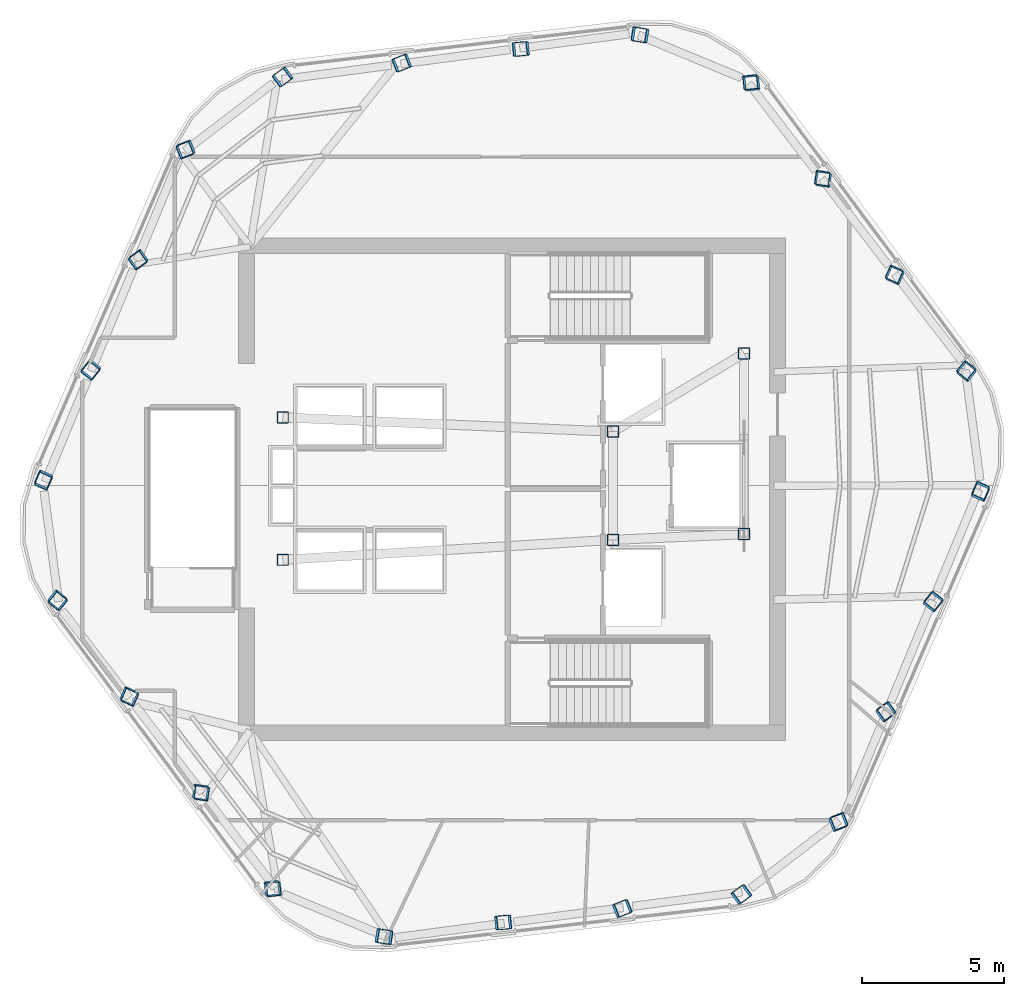
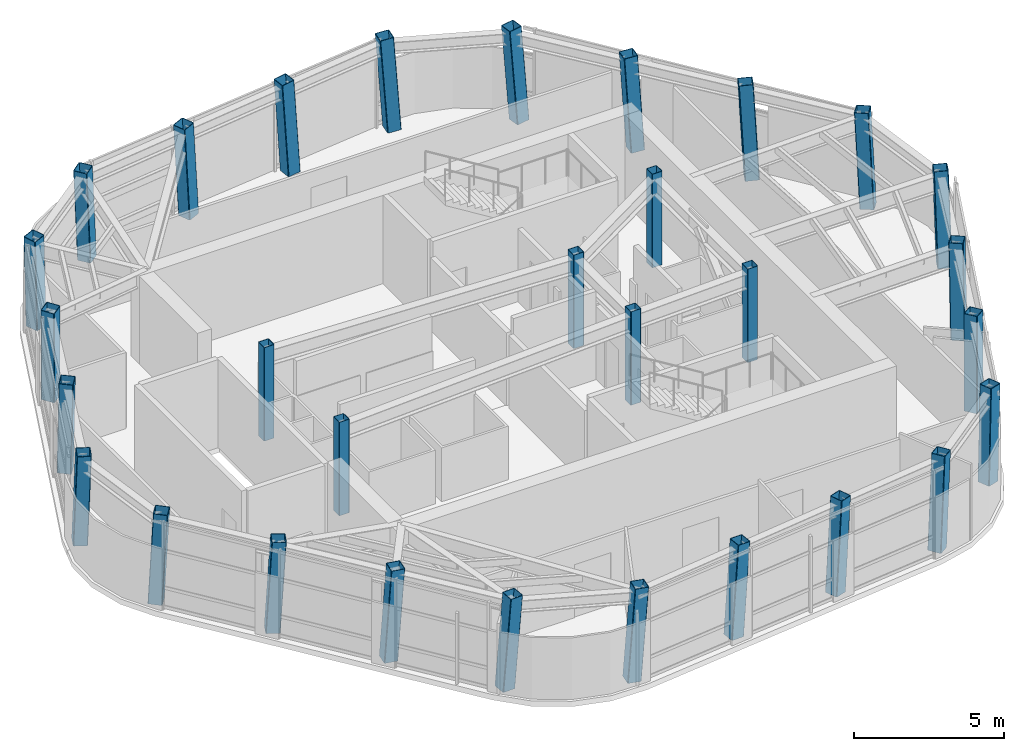
# One storey, part 1 of 11: 30 columns.
"""IFC4 building model written with IfcOpenShell, lengths in metres."""

from ifc_helpers import new_model, si_unit, direction, frame, origin, origin_2d, place, context, subcontext, project, spatial, hollow_rectangle, extrude, material, material_profile, profile_set, type_object, element, save


model = new_model("IFC4")

# Units and contexts
model_context = context("Model", 3, precision=1e-05, world=origin(), true_north=direction((0.0, 1.0)))
body_context = subcontext(model_context, "Body", "Model", "MODEL_VIEW")
ifc_project = project(units=[si_unit("LENGTHUNIT", "METRE"), si_unit("AREAUNIT", "SQUARE_METRE"), si_unit("VOLUMEUNIT", "CUBIC_METRE"), si_unit("PLANEANGLEUNIT", "RADIAN"), si_unit("MASSUNIT", "GRAM", prefix="KILO")], contexts=[model_context])

# Site, building, storey
site_placement = place(None, origin())
site = spatial("IfcSite", under=ifc_project, at=site_placement, CompositionType="ELEMENT")
building_placement = place(site_placement, origin())
building = spatial("IfcBuilding", under=site, at=building_placement, Name="Valkerne Bourse Tower", CompositionType="ELEMENT")
storey_placement = place(building_placement, frame((0.0, 0.0, 311.60009765625)))
storey = spatial("IfcBuildingStorey", under=building, at=storey_placement, Name="L79", CompositionType="ELEMENT", Elevation=311.60009765625)

# Columns
ifc_material = material(Name="Steel ASTM A500 Grade C", Category="steel")
ifc_material_profile_1 = material_profile(ifc_material, hollow_rectangle(XDim=0.39990234375, YDim=0.39990234375, WallThickness=0.01611328125, OuterFilletRadius=0.031982421875, at=origin_2d()), Name="HSS400X400X16")
ifc_profile_set_1 = profile_set([ifc_material_profile_1], Name="Steel ASTM A500 Grade C")
column_type_1 = type_object("IfcColumnType", Name="COL-HSS400X400X16", PredefinedType="COLUMN", material=ifc_profile_set_1)
for number, where, z_axis, x_axis, name in (
    (1, (38.75, 24.39990234375, 0.0048828125), (0.0, 0.0, 1.0), (1.0, 0.0, 0.0), "L79 Core Frame Column CC-SW"),
    (2, (38.75, 29.39990234375, 0.0048828125), (0.0, 0.0, 1.0), (1.0, 0.0, 0.0), "L79 Core Frame Column CC-NW"),
    (3, (50.35009765625, 25.10009765625, 0.0048828125), (0.0, 0.0, 1.0), (1.0, 0.0, 0.0), "L79 Core Frame Column CC-CE1"),
    (4, (50.35009765625, 28.89990234375, 0.0048828125), (0.0, 0.0, 1.0), (1.0, 0.0, 0.0), "L79 Core Frame Column CC-CE2"),
    (5, (54.949951171875, 25.300048828125, 0.0048828125), (0.0, 0.0, 1.0), (1.0, 0.0, 0.0), "L79 Core Frame Column CC-SE"),
    (6, (54.949951171875, 31.64990234375, 0.0048828125), (0.0, 0.0, 1.0), (1.0, 0.0, 0.0), "L79 Core Frame Column CC-NE"),
):
    element("IfcColumn", number, at=place(storey_placement, frame(where, z_axis=z_axis, x_axis=x_axis)), inside=storey, type_object=column_type_1, Name=name, PredefinedType="COLUMN", context=body_context, shape_type="SweptSolid", body=[
        extrude(hollow_rectangle(XDim=0.39990234375, YDim=0.39990234375, WallThickness=0.01611328125, OuterFilletRadius=0.031982421875, at=origin_2d()), origin(), (0.0, 0.0, 1.0), 3.794921875),
    ])
ifc_material_profile_2 = material_profile(ifc_material, hollow_rectangle(XDim=0.5, YDim=0.5, WallThickness=0.02001953125, OuterFilletRadius=0.0400390625, at=origin_2d()), Name="HSS500X500X20")
ifc_profile_set_2 = profile_set([ifc_material_profile_2], Name="Steel ASTM A500 Grade C")
column_type_2 = type_object("IfcColumnType", Name="COL-HSS500X500X20", PredefinedType="COLUMN", material=ifc_profile_set_2)
column_1_placement = place(storey_placement, frame((51.3291015625, 42.82421875, 0.010009765625), z_axis=(-0.065708385046, 0.018230855851, 0.997672312951), x_axis=(0.15508417367, 0.987870168903, -0.007837631604)))
element("IfcColumn", 7, at=column_1_placement, inside=storey, type_object=column_type_2, Name="L79 Helical Perimeter Tube Column F1-C1", PredefinedType="COLUMN", context=body_context, shape_type="SweptSolid", body=[
    extrude(hollow_rectangle(XDim=0.5, YDim=0.5, WallThickness=0.02001953125, OuterFilletRadius=0.0400390625, at=origin_2d()), origin(), (0.0, 0.0, 1.0), 3.789794921875),
])
for number, where, z_axis, x_axis, name in (
    (8, (47.14501953125, 42.340087890625, 0.010009765625), (-0.063601812684, 0.000902153371, 0.997974947352), (-0.100603882777, 0.994899697875, -0.007310946476), "L79 Helical Perimeter Tube Column F1-C2"),
    (9, (42.961181640625, 41.85595703125, 0.010009765625), (-0.061475209263, -0.01643205279, 0.997973339467), (-0.367332364315, 0.930060988211, -0.007313845391), "L79 Helical Perimeter Tube Column F1-C3"),
):
    element("IfcColumn", number, at=place(storey_placement, frame(where, z_axis=z_axis, x_axis=x_axis)), inside=storey, type_object=column_type_2, Name=name, PredefinedType="COLUMN", context=body_context, shape_type="SweptSolid", body=[
        extrude(hollow_rectangle(XDim=0.5, YDim=0.5, WallThickness=0.02001953125, OuterFilletRadius=0.0400390625, at=origin_2d()), origin(), (0.0, 0.0, 1.0), 3.78857421875),
    ])
for number, where, z_axis, x_axis, name in (
    (10, (38.777099609375, 41.371826171875, 0.010009765625), (-0.059330648795, -0.033691562779, 0.997669661116), (-0.590239713263, 0.807189929643, -0.00784208967), "L79 Helical Perimeter Tube Column F1-C4"),
    (11, (35.360595703125, 38.83447265625, 0.010009765625), (-0.048701346119, -0.047799469339, 0.997668977977), (-0.931649360722, -0.35792084166, -0.062626989166), "L79 Helical Perimeter Tube Column F2-C1"),
):
    element("IfcColumn", number, at=place(storey_placement, frame(where, z_axis=z_axis, x_axis=x_axis)), inside=storey, type_object=column_type_2, Name=name, PredefinedType="COLUMN", context=body_context, shape_type="SweptSolid", body=[
        extrude(hollow_rectangle(XDim=0.5, YDim=0.5, WallThickness=0.02001953125, OuterFilletRadius=0.0400390625, at=origin_2d()), origin(), (0.0, 0.0, 1.0), 3.789794921875),
    ])
for number, where, z_axis, x_axis, name in (
    (12, (33.687744140625, 34.968994140625, 0.010009765625), (-0.032606347958, -0.054644630569, 0.997973341539), (-0.810360275406, -0.583014306776, -0.058399847065), "L79 Helical Perimeter Tube Column F2-C2"),
    (13, (32.014892578125, 31.103515625, 0.010009765625), (-0.016496474711, -0.061475144041, 0.997972280671), (-0.620953945776, -0.781667366357, -0.058415114459), "L79 Helical Perimeter Tube Column F2-C3"),
):
    element("IfcColumn", number, at=place(storey_placement, frame(where, z_axis=z_axis, x_axis=x_axis)), inside=storey, type_object=column_type_2, Name=name, PredefinedType="COLUMN", context=body_context, shape_type="SweptSolid", body=[
        extrude(hollow_rectangle(XDim=0.5, YDim=0.5, WallThickness=0.02001953125, OuterFilletRadius=0.0400390625, at=origin_2d()), origin(), (0.0, 0.0, 1.0), 3.78857421875),
    ])
for number, where, z_axis, x_axis, name in (
    (14, (30.342041015625, 27.23779296875, 0.010009765625), (-0.000450938923, -0.068220617115, 0.997670157945), (-0.403191315634, -0.912971306398, -0.06261115469), "L79 Helical Perimeter Tube Column F2-C4"),
    (15, (30.831298828125, 23.01025390625, 0.010009765625), (0.017071283327, -0.066030435512, 0.997671565633), (0.777727569778, -0.62621234065, -0.054753370902), "L79 Helical Perimeter Tube Column F3-C1"),
):
    element("IfcColumn", number, at=place(storey_placement, frame(where, z_axis=z_axis, x_axis=x_axis)), inside=storey, type_object=column_type_2, Name=name, PredefinedType="COLUMN", context=body_context, shape_type="SweptSolid", body=[
        extrude(hollow_rectangle(XDim=0.5, YDim=0.5, WallThickness=0.02001953125, OuterFilletRadius=0.0400390625, at=origin_2d()), origin(), (0.0, 0.0, 1.0), 3.789794921875),
    ])
for number, where, z_axis, x_axis, name in (
    (16, (33.342529296875, 19.62890625, 0.010009765625), (0.030995409686, -0.055546867255, 0.997974864471), (0.911053817064, -0.409112602586, -0.05106682698), "L79 Helical Perimeter Tube Column F3-C2"),
    (17, (35.853759765625, 16.247314453125, 0.010009765625), (0.044978785502, -0.044978785502, 0.997974858255), (0.988122705194, -0.144933400794, -0.051066905274), "L79 Helical Perimeter Tube Column F3-C3"),
):
    element("IfcColumn", number, at=place(storey_placement, frame(where, z_axis=z_axis, x_axis=x_axis)), inside=storey, type_object=column_type_2, Name=name, PredefinedType="COLUMN", context=body_context, shape_type="SweptSolid", body=[
        extrude(hollow_rectangle(XDim=0.5, YDim=0.5, WallThickness=0.02001953125, OuterFilletRadius=0.0400390625, at=origin_2d()), origin(), (0.0, 0.0, 1.0), 3.78857421875),
    ])
for number, where, z_axis, x_axis, name in (
    (18, (38.364990234375, 12.865966796875, 0.010009765625), (0.058879597453, -0.034528954305, 0.99766775247), (0.992514662068, 0.109141239326, -0.054798133715), "L79 Helical Perimeter Tube Column F3-C4"),
    (19, (42.270751953125, 11.17578125, 0.010009765625), (0.065772526485, -0.018230778644, 0.997668087828), (0.154835358954, 0.987909141458, 0.00784473336), "L79 Helical Perimeter Tube Column F4-C1"),
):
    element("IfcColumn", number, at=place(storey_placement, frame(where, z_axis=z_axis, x_axis=x_axis)), inside=storey, type_object=column_type_2, Name=name, PredefinedType="COLUMN", context=body_context, shape_type="SweptSolid", body=[
        extrude(hollow_rectangle(XDim=0.5, YDim=0.5, WallThickness=0.02001953125, OuterFilletRadius=0.0400390625, at=origin_2d()), origin(), (0.0, 0.0, 1.0), 3.789794921875),
    ])
for number, where, z_axis, x_axis, name in (
    (20, (46.454833984375, 11.659912109375, 0.010009765625), (0.063601812684, -0.000902153371, 0.997974947352), (-0.100603882777, 0.994899697875, 0.007310946476), "L79 Helical Perimeter Tube Column F4-C2"),
    (21, (50.638916015625, 12.14404296875, 0.010009765625), (0.061475209263, 0.01643205279, 0.997973339467), (-0.367332364315, 0.930060988211, 0.007313845391), "L79 Helical Perimeter Tube Column F4-C3"),
):
    element("IfcColumn", number, at=place(storey_placement, frame(where, z_axis=z_axis, x_axis=x_axis)), inside=storey, type_object=column_type_2, Name=name, PredefinedType="COLUMN", context=body_context, shape_type="SweptSolid", body=[
        extrude(hollow_rectangle(XDim=0.5, YDim=0.5, WallThickness=0.02001953125, OuterFilletRadius=0.0400390625, at=origin_2d()), origin(), (0.0, 0.0, 1.0), 3.78857421875),
    ])
for number, where, z_axis, x_axis, name in (
    (22, (54.822998046875, 12.628173828125, 0.010009765625), (0.059330648795, 0.033691562779, 0.997669661116), (-0.590239713263, 0.807189929643, 0.00784208967), "L79 Helical Perimeter Tube Column F4-C4"),
    (23, (58.239501953125, 15.16552734375, 0.010009765625), (0.048701346119, 0.047799469339, 0.997668977977), (-0.931649360722, -0.35792084166, 0.062626989166), "L79 Helical Perimeter Tube Column F5-C1"),
):
    element("IfcColumn", number, at=place(storey_placement, frame(where, z_axis=z_axis, x_axis=x_axis)), inside=storey, type_object=column_type_2, Name=name, PredefinedType="COLUMN", context=body_context, shape_type="SweptSolid", body=[
        extrude(hollow_rectangle(XDim=0.5, YDim=0.5, WallThickness=0.02001953125, OuterFilletRadius=0.0400390625, at=origin_2d()), origin(), (0.0, 0.0, 1.0), 3.789794921875),
    ])
for number, where, z_axis, x_axis, name in (
    (24, (59.912353515625, 19.031005859375, 0.010009765625), (0.032606347958, 0.054644630569, 0.997973341539), (-0.810360275406, -0.583014306776, 0.058399847065), "L79 Helical Perimeter Tube Column F5-C2"),
    (25, (61.585205078125, 22.896484375, 0.010009765625), (0.016496474711, 0.061475144041, 0.997972280671), (-0.620953945776, -0.781667366357, 0.058415114459), "L79 Helical Perimeter Tube Column F5-C3"),
):
    element("IfcColumn", number, at=place(storey_placement, frame(where, z_axis=z_axis, x_axis=x_axis)), inside=storey, type_object=column_type_2, Name=name, PredefinedType="COLUMN", context=body_context, shape_type="SweptSolid", body=[
        extrude(hollow_rectangle(XDim=0.5, YDim=0.5, WallThickness=0.02001953125, OuterFilletRadius=0.0400390625, at=origin_2d()), origin(), (0.0, 0.0, 1.0), 3.78857421875),
    ])
for number, where, z_axis, x_axis, name in (
    (26, (63.2578125, 26.76220703125, 0.010009765625), (0.000450938923, 0.068220617115, 0.997670157945), (-0.403191315634, -0.912971306398, 0.06261115469), "L79 Helical Perimeter Tube Column F5-C4"),
    (27, (62.768798828125, 30.98974609375, 0.010009765625), (-0.017071283327, 0.066030435512, 0.997671565633), (0.777727569778, -0.62621234065, 0.054753370902), "L79 Helical Perimeter Tube Column F6-C1"),
):
    element("IfcColumn", number, at=place(storey_placement, frame(where, z_axis=z_axis, x_axis=x_axis)), inside=storey, type_object=column_type_2, Name=name, PredefinedType="COLUMN", context=body_context, shape_type="SweptSolid", body=[
        extrude(hollow_rectangle(XDim=0.5, YDim=0.5, WallThickness=0.02001953125, OuterFilletRadius=0.0400390625, at=origin_2d()), origin(), (0.0, 0.0, 1.0), 3.789794921875),
    ])
for number, where, z_axis, x_axis, name in (
    (28, (60.257568359375, 34.37109375, 0.010009765625), (-0.031059787106, 0.055546756194, 0.997972869121), (0.911414418774, -0.408305485604, 0.05109195315), "L79 Helical Perimeter Tube Column F6-C2"),
    (29, (57.74609375, 37.752685546875, 0.010009765625), (-0.044914476068, 0.044978915776, 0.997977748737), (0.988020196113, -0.1456433371, 0.051030485309), "L79 Helical Perimeter Tube Column F6-C3"),
):
    element("IfcColumn", number, at=place(storey_placement, frame(where, z_axis=z_axis, x_axis=x_axis)), inside=storey, type_object=column_type_2, Name=name, PredefinedType="COLUMN", context=body_context, shape_type="SweptSolid", body=[
        extrude(hollow_rectangle(XDim=0.5, YDim=0.5, WallThickness=0.02001953125, OuterFilletRadius=0.0400390625, at=origin_2d()), origin(), (0.0, 0.0, 1.0), 3.78857421875),
    ])
column_2_placement = place(storey_placement, frame((55.23486328125, 41.134033203125, 0.010009765625), z_axis=(-0.058879597453, 0.034528954305, 0.99766775247), x_axis=(0.992514662068, 0.109141239326, 0.054798133715)))
element("IfcColumn", 30, at=column_2_placement, inside=storey, type_object=column_type_2, Name="L79 Helical Perimeter Tube Column F6-C4", PredefinedType="COLUMN", context=body_context, shape_type="SweptSolid", body=[
    extrude(hollow_rectangle(XDim=0.5, YDim=0.5, WallThickness=0.02001953125, OuterFilletRadius=0.0400390625, at=origin_2d()), origin(), (0.0, 0.0, 1.0), 3.789794921875),
])

save(model, "model.ifc")
